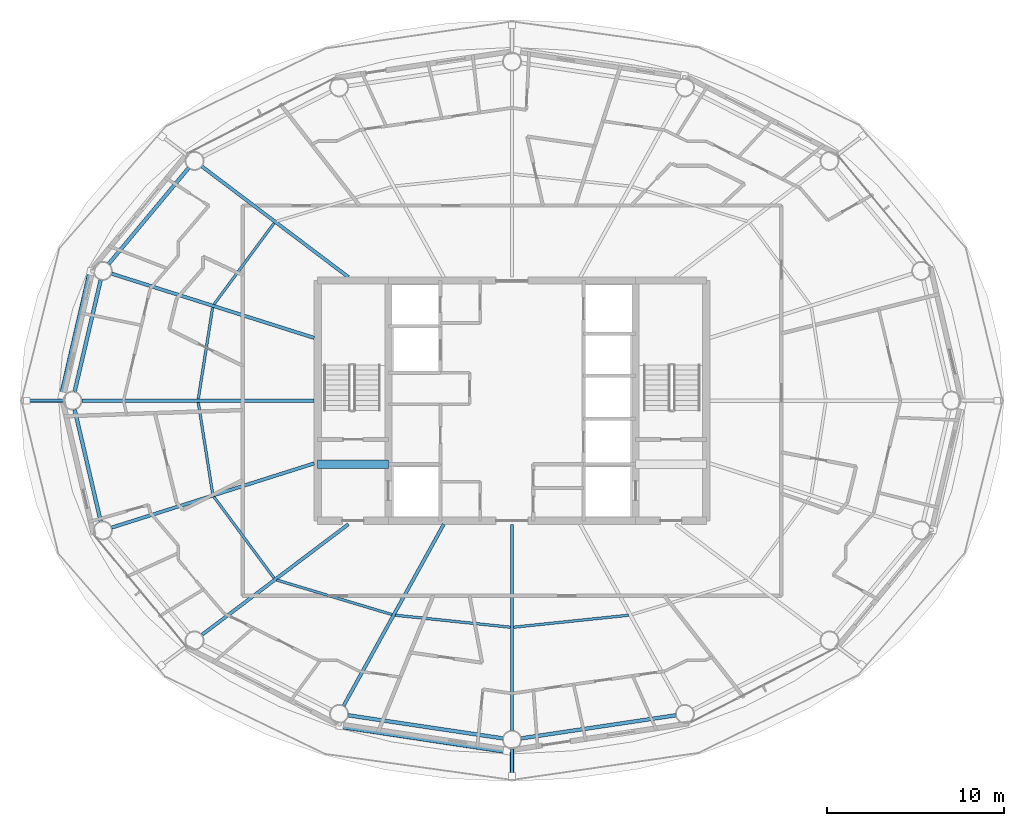
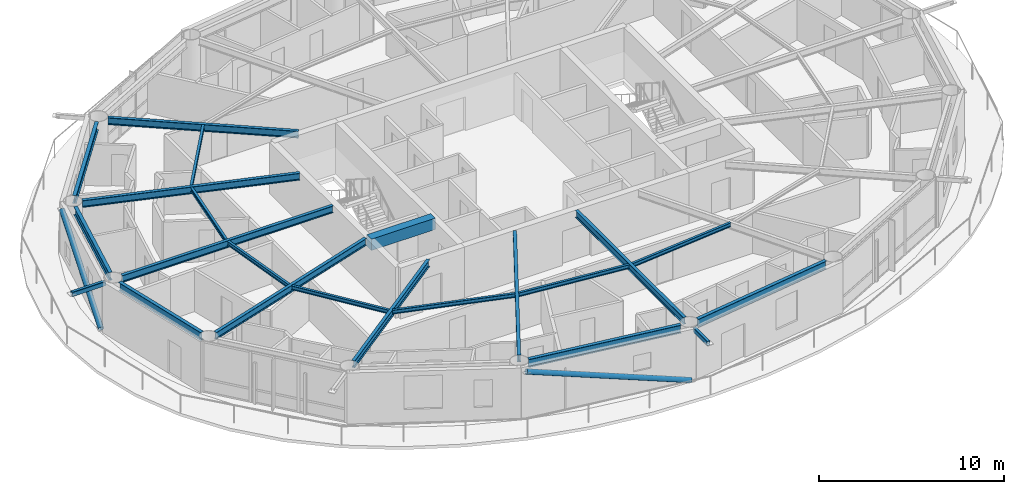
# One storey, part 4 of 23: 20 beams, 4 members.
"""IFC4 building model written with IfcOpenShell, lengths in metres."""

from ifc_helpers import new_model, si_unit, direction, frame, origin, origin_2d, place, context, subcontext, project, spatial, rectangle, hollow_rectangle, hollow_circle, i_section, extrude, material, material_profile, profile_set, type_object, element, save


model = new_model("IFC4")

# Units and contexts
model_context = context("Model", 3, precision=1e-05, world=origin(), true_north=direction((0.0, 1.0)))
body_context = subcontext(model_context, "Body", "Model", "MODEL_VIEW")
ifc_project = project(units=[si_unit("LENGTHUNIT", "METRE"), si_unit("AREAUNIT", "SQUARE_METRE"), si_unit("VOLUMEUNIT", "CUBIC_METRE"), si_unit("PLANEANGLEUNIT", "RADIAN"), si_unit("MASSUNIT", "GRAM", prefix="KILO")], contexts=[model_context])

# Site, building, storey
site_placement = place(None, origin())
site = spatial("IfcSite", under=ifc_project, at=site_placement, CompositionType="ELEMENT")
building_placement = place(site_placement, origin())
building = spatial("IfcBuilding", under=site, at=building_placement, Name="Sarneth Arch Tower", CompositionType="ELEMENT")
storey_placement = place(building_placement, frame((0.0, 0.0, 238.800048828125)))
storey = spatial("IfcBuildingStorey", under=building, at=storey_placement, Name="L61", CompositionType="ELEMENT", Elevation=238.800048828125)

# Beams
ifc_material_1 = material(Name="Steel S355", Category="steel")
ifc_material_profile_1 = material_profile(ifc_material_1, i_section(OverallWidth=0.14794921875, OverallDepth=0.26611328125, WebThickness=0.007568359375, FlangeThickness=0.012939453125, FilletRadius=0.012939453125, at=origin_2d()), Name="W250x44.8")
ifc_profile_set_1 = profile_set([ifc_material_profile_1], Name="Steel S355")
beam_type_1 = type_object("IfcBeamType", Name="BM-JOIST-250", PredefinedType="JOIST", material=ifc_profile_set_1)
beam_1_placement = place(storey_placement, frame((34.53076171875, 52.052734375, 3.22705078125), z_axis=(-0.594853468946, -0.803834156081, 0.0), x_axis=(0.803834156081, -0.594853468946, 0.0)))
element("IfcBeam", 1, at=beam_1_placement, inside=storey, type_object=beam_type_1, Name="L61 Secondary floor joist 07", PredefinedType="JOIST", context=body_context, shape_type="SweptSolid", body=[
    extrude(i_section(OverallWidth=0.14794921875, OverallDepth=0.26611328125, WebThickness=0.007568359375, FlangeThickness=0.012939453125, FilletRadius=0.012939453125, at=origin_2d()), origin(), (0.0, 0.0, 1.0), 5.72900390625),
])
for number, where, z_axis, x_axis, name in (
    (2, (31.05078125, 47.275390625, 3.22705078125), (-0.155393595615, -0.987852635995, 0.0), (0.987852635995, -0.155393595615, 0.0), "L61 Secondary floor joist 08"),
    (3, (30.23583984375, 41.9052734375, 3.22705078125), (0.155393595615, -0.987852635995, 0.0), (0.987852635995, 0.155393595615, 0.0), "L61 Secondary floor joist 09"),
):
    element("IfcBeam", number, at=place(storey_placement, frame(where, z_axis=z_axis, x_axis=x_axis)), inside=storey, type_object=beam_type_1, Name=name, PredefinedType="JOIST", context=body_context, shape_type="SweptSolid", body=[
        extrude(i_section(OverallWidth=0.14794921875, OverallDepth=0.26611328125, WebThickness=0.007568359375, FlangeThickness=0.012939453125, FilletRadius=0.012939453125, at=origin_2d()), origin(), (0.0, 0.0, 1.0), 5.244384765625),
    ])
beam_2_placement = place(storey_placement, frame((31.122802734375, 36.552490234375, 3.22705078125), z_axis=(0.594853468946, -0.803834156081, 0.0), x_axis=(0.803834156081, 0.594853468946, 0.0)))
element("IfcBeam", 4, at=beam_2_placement, inside=storey, type_object=beam_type_1, Name="L61 Secondary floor joist 10", PredefinedType="JOIST", context=body_context, shape_type="SweptSolid", body=[
    extrude(i_section(OverallWidth=0.14794921875, OverallDepth=0.26611328125, WebThickness=0.007568359375, FlangeThickness=0.012939453125, FilletRadius=0.012939453125, at=origin_2d()), origin(), (0.0, 0.0, 1.0), 5.72900390625),
])
beam_3_placement = place(storey_placement, frame((34.679931640625, 31.842529296875, 3.22705078125), z_axis=(0.957984908347, -0.286818610589, 0.0), x_axis=(0.286818610589, 0.957984908347, 0.0)))
element("IfcBeam", 5, at=beam_3_placement, inside=storey, type_object=beam_type_1, Name="L61 Secondary floor joist 11", PredefinedType="JOIST", context=body_context, shape_type="SweptSolid", body=[
    extrude(i_section(OverallWidth=0.14794921875, OverallDepth=0.26611328125, WebThickness=0.007568359375, FlangeThickness=0.012939453125, FilletRadius=0.012939453125, at=origin_2d()), origin(), (0.0, 0.0, 1.0), 6.81396484375),
])
for number, where, z_axis, x_axis, name in (
    (6, (41.39501953125, 29.8505859375, 3.22705078125), (0.994616086198, -0.103628379682, 0.0), (0.103628379682, 0.994616086198, 0.0), "L61 Secondary floor joist 12"),
    (7, (48.095458984375, 29.17236328125, 3.22705078125), (0.994616086198, 0.103628379682, 0.0), (-0.103628379682, 0.994616086198, 0.0), "L61 Secondary floor joist 13"),
):
    element("IfcBeam", number, at=place(storey_placement, frame(where, z_axis=z_axis, x_axis=x_axis)), inside=storey, type_object=beam_type_1, Name=name, PredefinedType="JOIST", context=body_context, shape_type="SweptSolid", body=[
        extrude(i_section(OverallWidth=0.14794921875, OverallDepth=0.26611328125, WebThickness=0.007568359375, FlangeThickness=0.012939453125, FilletRadius=0.012939453125, at=origin_2d()), origin(), (0.0, 0.0, 1.0), 6.544677734375),
    ])
ifc_material_2 = material(Name="Concrete C50/60", Category="concrete")
ifc_material_profile_2 = material_profile(ifc_material_2, rectangle(XDim=0.5, YDim=0.75, at=origin_2d()), Name="RC-500x750")
ifc_profile_set_2 = profile_set([ifc_material_profile_2], Name="Concrete C50/60")
beam_type_2 = type_object("IfcBeamType", Name="BM-LINTEL-RC", PredefinedType="LINTEL", material=ifc_profile_set_2)
beam_4_placement = place(storey_placement, frame((37.0, 38.39990234375, 2.98486328125), z_axis=(1.0, 0.0, 0.0), x_axis=(0.0, 1.0, 0.0)))
element("IfcBeam", 8, at=beam_4_placement, inside=storey, type_object=beam_type_2, Name="L61 Core coupling lintel W", PredefinedType="LINTEL", context=body_context, shape_type="SweptSolid", body=[
    extrude(rectangle(XDim=0.5, YDim=0.75, at=origin_2d()), origin(), (0.0, 0.0, 1.0), 4.0),
])
ifc_material_3 = material(Name="Steel S355", Category="steel")
ifc_material_profile_3 = material_profile(ifc_material_3, i_section(OverallWidth=0.19189453125, OverallDepth=0.462890625, WebThickness=0.010498046875, FlangeThickness=0.017578125, FilletRadius=0.01806640625, at=origin_2d()), Name="W460x89")
ifc_profile_set_3 = profile_set([ifc_material_profile_3], Name="Steel S355")
beam_type_3 = type_object("IfcBeamType", Name="BM-RAD-460B", PredefinedType="BEAM", material=ifc_profile_set_3)
beam_5_placement = place(storey_placement, frame((38.73193359375, 49.0, 3.12841796875), z_axis=(-0.79797308069, 0.60269309146, 0.0), x_axis=(-0.60269309146, -0.79797308069, 0.0)))
element("IfcBeam", 9, at=beam_5_placement, inside=storey, type_object=beam_type_3, Name="L61 Radial floor girder 07", PredefinedType="BEAM", context=body_context, shape_type="SweptSolid", body=[
    extrude(i_section(OverallWidth=0.19189453125, OverallDepth=0.462890625, WebThickness=0.010498046875, FlangeThickness=0.017578125, FilletRadius=0.01806640625, at=origin_2d()), origin(), (0.0, 0.0, 1.0), 10.38671875),
])
beam_6_placement = place(storey_placement, frame((36.800048828125, 45.5517578125, 3.12841796875), z_axis=(-0.953216092177, 0.302289731243, 0.0), x_axis=(-0.302289731243, -0.953216092177, 0.0)))
element("IfcBeam", 10, at=beam_6_placement, inside=storey, type_object=beam_type_3, Name="L61 Radial floor girder 08", PredefinedType="BEAM", context=body_context, shape_type="SweptSolid", body=[
    extrude(i_section(OverallWidth=0.19189453125, OverallDepth=0.462890625, WebThickness=0.010498046875, FlangeThickness=0.017578125, FilletRadius=0.01806640625, at=origin_2d()), origin(), (0.0, 0.0, 1.0), 12.031494140625),
])
beam_7_placement = place(storey_placement, frame((36.800048828125, 42.0, 3.12841796875), z_axis=(-1.0, 0.0, 0.0), x_axis=(0.0, -1.0, 0.0)))
element("IfcBeam", 11, at=beam_7_placement, inside=storey, type_object=beam_type_3, Name="L61 Radial floor girder 09", PredefinedType="BEAM", context=body_context, shape_type="SweptSolid", body=[
    extrude(i_section(OverallWidth=0.19189453125, OverallDepth=0.462890625, WebThickness=0.010498046875, FlangeThickness=0.017578125, FilletRadius=0.01806640625, at=origin_2d()), origin(), (0.0, 0.0, 1.0), 13.158203125),
])
beam_8_placement = place(storey_placement, frame((36.800048828125, 38.4482421875, 3.12841796875), z_axis=(-0.953216092177, -0.302289731243, 0.0), x_axis=(0.302289731243, -0.953216092177, 0.0)))
element("IfcBeam", 12, at=beam_8_placement, inside=storey, type_object=beam_type_3, Name="L61 Radial floor girder 10", PredefinedType="BEAM", context=body_context, shape_type="SweptSolid", body=[
    extrude(i_section(OverallWidth=0.19189453125, OverallDepth=0.462890625, WebThickness=0.010498046875, FlangeThickness=0.017578125, FilletRadius=0.01806640625, at=origin_2d()), origin(), (0.0, 0.0, 1.0), 12.031494140625),
])
beam_9_placement = place(storey_placement, frame((38.73193359375, 35.0, 3.12841796875), z_axis=(-0.79797308069, -0.60269309146, 0.0), x_axis=(0.60269309146, -0.79797308069, 0.0)))
element("IfcBeam", 13, at=beam_9_placement, inside=storey, type_object=beam_type_3, Name="L61 Radial floor girder 11", PredefinedType="BEAM", context=body_context, shape_type="SweptSolid", body=[
    extrude(i_section(OverallWidth=0.19189453125, OverallDepth=0.462890625, WebThickness=0.010498046875, FlangeThickness=0.017578125, FilletRadius=0.01806640625, at=origin_2d()), origin(), (0.0, 0.0, 1.0), 10.38671875),
])
beam_10_placement = place(storey_placement, frame((44.13623046875, 35.0, 3.12841796875), z_axis=(-0.483225760768, -0.875495781903, 0.0), x_axis=(0.875495781903, -0.483225760768, 0.0)))
element("IfcBeam", 14, at=beam_10_placement, inside=storey, type_object=beam_type_3, Name="L61 Radial floor girder 12", PredefinedType="BEAM", context=body_context, shape_type="SweptSolid", body=[
    extrude(i_section(OverallWidth=0.19189453125, OverallDepth=0.462890625, WebThickness=0.010498046875, FlangeThickness=0.017578125, FilletRadius=0.01806640625, at=origin_2d()), origin(), (0.0, 0.0, 1.0), 11.740478515625),
])
beam_11_placement = place(storey_placement, frame((48.0, 35.0, 3.12841796875), z_axis=(0.0, -1.0, 0.0), x_axis=(1.0, 0.0, 0.0)))
element("IfcBeam", 15, at=beam_11_placement, inside=storey, type_object=beam_type_3, Name="L61 Radial floor girder 13", PredefinedType="BEAM", context=body_context, shape_type="SweptSolid", body=[
    extrude(i_section(OverallWidth=0.19189453125, OverallDepth=0.462890625, WebThickness=0.010498046875, FlangeThickness=0.017578125, FilletRadius=0.01806640625, at=origin_2d()), origin(), (0.0, 0.0, 1.0), 11.675048828125),
])
ifc_material_4 = material(Name="Steel S355", Category="steel")
ifc_material_profile_4 = material_profile(ifc_material_4, i_section(OverallWidth=0.2109375, OverallDepth=0.5390625, WebThickness=0.01171875, FlangeThickness=0.018798828125, FilletRadius=0.01806640625, at=origin_2d()), Name="W530x109")
ifc_profile_set_4 = profile_set([ifc_material_profile_4], Name="Steel S355")
beam_type_4 = type_object("IfcBeamType", Name="BM-RAD-530B", PredefinedType="BEAM", material=ifc_profile_set_4)
beam_12_placement = place(storey_placement, frame((29.6884765625, 55.17333984375, 3.09033203125), z_axis=(-0.640364654985, -0.76807103099, 0.0), x_axis=(0.76807103099, -0.640364654985, 0.0)))
element("IfcBeam", 16, at=beam_12_placement, inside=storey, type_object=beam_type_4, Name="L61 Perimeter spandrel beam 07", PredefinedType="BEAM", context=body_context, shape_type="SweptSolid", body=[
    extrude(i_section(OverallWidth=0.2109375, OverallDepth=0.5390625, WebThickness=0.01171875, FlangeThickness=0.018798828125, FilletRadius=0.01806640625, at=origin_2d()), origin(), (0.0, 0.0, 1.0), 7.06005859375),
])
for number, where, z_axis, x_axis, name in (
    (17, (24.7119140625, 48.836181640625, 3.09033203125), (-0.227230803906, -0.973840932471, 0.0), (0.973840932471, -0.227230803906, 0.0), "L61 Perimeter spandrel beam 08"),
    (18, (23.236083984375, 41.48876953125, 3.09033203125), (0.227230803906, -0.973840932471, 0.0), (0.973840932471, 0.227230803906, 0.0), "L61 Perimeter spandrel beam 09"),
):
    element("IfcBeam", number, at=place(storey_placement, frame(where, z_axis=z_axis, x_axis=x_axis)), inside=storey, type_object=beam_type_4, Name=name, PredefinedType="BEAM", context=body_context, shape_type="SweptSolid", body=[
        extrude(i_section(OverallWidth=0.2109375, OverallDepth=0.5390625, WebThickness=0.01171875, FlangeThickness=0.018798828125, FilletRadius=0.01806640625, at=origin_2d()), origin(), (0.0, 0.0, 1.0), 6.494873046875),
    ])
for number, where, z_axis, x_axis, name in (
    (19, (38.728515625, 24.18408203125, 3.09033203125), (0.989038715098, -0.147656425652, 0.0), (0.147656425652, 0.989038715098, 0.0), "L61 Perimeter spandrel beam 12"),
    (20, (48.519287109375, 22.87744140625, 3.09033203125), (0.989038715098, 0.147656425652, 0.0), (-0.147656425652, 0.989038715098, 0.0), "L61 Perimeter spandrel beam 13"),
):
    element("IfcBeam", number, at=place(storey_placement, frame(where, z_axis=z_axis, x_axis=x_axis)), inside=storey, type_object=beam_type_4, Name=name, PredefinedType="BEAM", context=body_context, shape_type="SweptSolid", body=[
        extrude(i_section(OverallWidth=0.2109375, OverallDepth=0.5390625, WebThickness=0.01171875, FlangeThickness=0.018798828125, FilletRadius=0.01806640625, at=origin_2d()), origin(), (0.0, 0.0, 1.0), 8.84912109375),
    ])

# Members
ifc_material_5 = material(Name="Steel S355", Category="steel")
ifc_material_profile_5 = material_profile(ifc_material_5, hollow_rectangle(XDim=0.199951171875, YDim=0.300048828125, WallThickness=0.012451171875, InnerFilletRadius=0.018798828125, OuterFilletRadius=0.03125, at=origin_2d()), Name="RHS300x200x12.5")
ifc_profile_set_5 = profile_set([ifc_material_profile_5], Name="Steel S355")
member_type_1 = type_object("IfcMemberType", Name="MEM-CANT-STRUT", PredefinedType="STRUT", material=ifc_profile_set_5)
member_1_placement = place(storey_placement, frame((22.591796875, 42.0, 3.199951171875), z_axis=(-1.0, 0.0, 0.0), x_axis=(0.0, -1.0, 0.0)))
element("IfcMember", 21, at=member_1_placement, inside=storey, type_object=member_type_1, Name="L61 Balcony cantilever bracket 09", PredefinedType="STRUT", context=body_context, shape_type="SweptSolid", body=[
    extrude(hollow_rectangle(XDim=0.199951171875, YDim=0.300048828125, WallThickness=0.012451171875, InnerFilletRadius=0.018798828125, OuterFilletRadius=0.03125, at=origin_2d()), origin(), (0.0, 0.0, 1.0), 2.073486328125),
])
member_2_placement = place(storey_placement, frame((48.0, 22.27490234375, 3.199951171875), z_axis=(0.0, -1.0, 0.0), x_axis=(1.0, 0.0, 0.0)))
element("IfcMember", 22, at=member_2_placement, inside=storey, type_object=member_type_1, Name="L61 Balcony cantilever bracket 13", PredefinedType="STRUT", context=body_context, shape_type="SweptSolid", body=[
    extrude(hollow_rectangle(XDim=0.199951171875, YDim=0.300048828125, WallThickness=0.012451171875, InnerFilletRadius=0.018798828125, OuterFilletRadius=0.03125, at=origin_2d()), origin(), (0.0, 0.0, 1.0), 1.5263671875),
])
ifc_material_6 = material(Name="Steel S355", Category="steel")
ifc_material_profile_6 = material_profile(ifc_material_6, hollow_circle(Radius=0.162109375, WallThickness=0.012451171875, at=origin_2d()), Name="CHS324x12.5")
ifc_profile_set_6 = profile_set([ifc_material_profile_6], Name="Steel S355")
member_type_2 = type_object("IfcMemberType", Name="MEM-DIAG-BR3", PredefinedType="BRACE", material=ifc_profile_set_6)
member_3_placement = place(storey_placement, frame((22.5234375, 42.292236328125, 0.02001953125), z_axis=(0.207917989892, 0.898749333617, 0.386030756289), x_axis=(-0.974268900284, 0.225388797281, 0.0)))
element("IfcMember", 23, at=member_3_placement, inside=storey, type_object=member_type_2, Name="L61 Perimeter frame diagonal 08", PredefinedType="BRACE", context=body_context, shape_type="SweptSolid", body=[
    extrude(hollow_circle(Radius=0.162109375, WallThickness=0.012451171875, at=origin_2d()), origin(), (0.0, 0.0, 1.0), 7.814453125),
])
member_4_placement = place(storey_placement, frame((47.703369140625, 22.16455078125, 0.02001953125), z_axis=(-0.943056107878, 0.142001297879, 0.300800280576), x_axis=(-0.148897148305, -0.988852688335, 0.0)))
element("IfcMember", 24, at=member_4_placement, inside=storey, type_object=member_type_2, Name="L61 Perimeter frame diagonal 12", PredefinedType="BRACE", context=body_context, shape_type="SweptSolid", body=[
    extrude(hollow_circle(Radius=0.162109375, WallThickness=0.012451171875, at=origin_2d()), origin(), (0.0, 0.0, 1.0), 10.028564453125),
])

save(model, "model.ifc")
